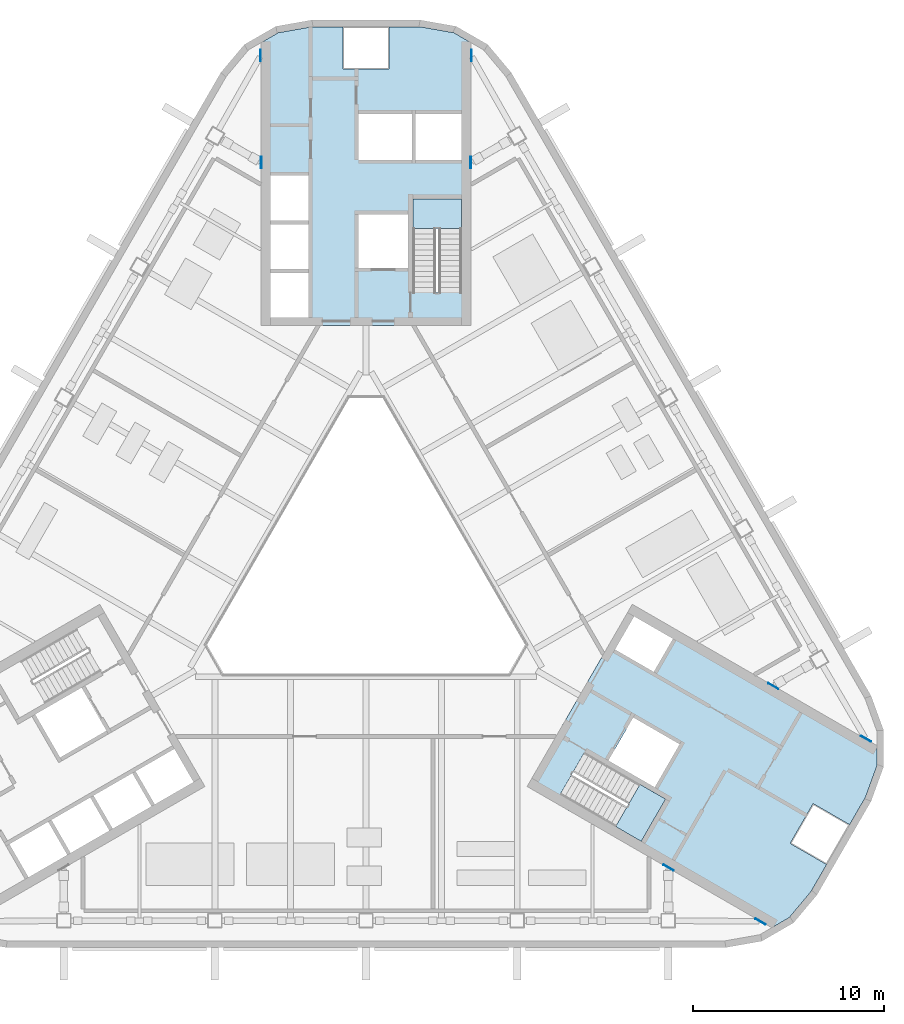
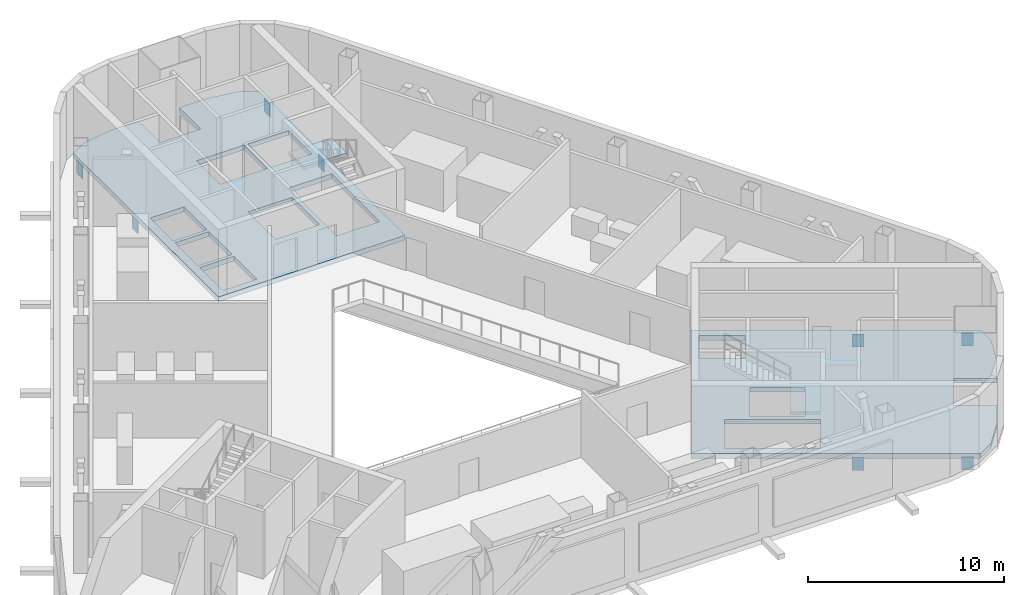
# One storey, part 6 of 15: 8 plates, 4 slabs, 2 elements without a shape of their own.
"""IFC4 building model written with IfcOpenShell, lengths in metres."""

from ifc_helpers import new_model, si_unit, direction, frame, origin, origin_2d, place, context, subcontext, project, spatial, polyline, rectangle, outline, extrude, material, layer, layer_set, type_object, element, aggregate, save


model = new_model("IFC4")

# Units and contexts
model_context = context("Model", 3, precision=1e-05, world=origin(), true_north=direction((0.0, 1.0)))
body_context = subcontext(model_context, "Body", "Model", "MODEL_VIEW")
ifc_project = project(units=[si_unit("LENGTHUNIT", "METRE"), si_unit("AREAUNIT", "SQUARE_METRE"), si_unit("VOLUMEUNIT", "CUBIC_METRE"), si_unit("PLANEANGLEUNIT", "RADIAN"), si_unit("MASSUNIT", "GRAM", prefix="KILO")], contexts=[model_context])

# Site, building, storey
site_placement = place(None, origin())
site = spatial("IfcSite", under=ifc_project, at=site_placement, CompositionType="ELEMENT")
building_placement = place(site_placement, origin())
building = spatial("IfcBuilding", under=site, at=building_placement, Name="Apuvela Tower Hotel", CompositionType="ELEMENT")
storey_placement = place(building_placement, frame((0.0, 0.0, 237.699951171875)))
storey = spatial("IfcBuildingStorey", under=building, at=storey_placement, Name="L58 Plant", CompositionType="ELEMENT", Elevation=237.699951171875)

# Slabs
ifc_material_1 = material(Name="Concrete C50/60", Category="concrete")
ifc_layer_1 = layer(ifc_material_1, 0.300048828125)
ifc_layer_set_1 = layer_set([ifc_layer_1], Name="COR-FLOOR-300")
slab_type_1 = type_object("IfcSlabType", Name="COR-FLOOR-300", PredefinedType="FLOOR", material=ifc_layer_set_1)
slab_1_placement = place(storey_placement, frame((0.0, 0.0, -0.300048828125)))
element("IfcSlab", 1, at=slab_1_placement, inside=storey, type_object=slab_type_1, Name="Core floor N", PredefinedType="FLOOR", context=body_context, shape_type="SweptSolid", body=[
    extrude(outline(polyline([(5.5, 27.668212890625), (4.588623046875, 28.1943359375), (2.85498046875, 28.5), (1.199951171875, 28.5), (1.199951171875, 26.300048828125), (-1.199951171875, 26.300048828125), (-1.199951171875, 28.5), (-2.85498046875, 28.5), (-4.588623046875, 28.1943359375), (-5.5, 27.668212890625), (-5.5, 12.89990234375), (5.5, 12.89990234375), (5.5, 27.668212890625)]), holes=[polyline([(-3.0, 13.300048828125), (-5.0, 13.300048828125), (-5.0, 15.639892578125), (-3.0, 15.639892578125), (-3.0, 13.300048828125)]), polyline([(-3.0, 18.179931640625), (-3.0, 15.840087890625), (-5.0, 15.840087890625), (-5.0, 18.179931640625), (-3.0, 18.179931640625)]), polyline([(5.0, 19.5), (5.0, 14.60595703125), (2.449951171875, 14.60595703125), (2.449951171875, 19.5), (5.0, 19.5)]), polyline([(2.199951171875, 18.699951171875), (2.199951171875, 15.89990234375), (-0.39990234375, 15.89990234375), (-0.39990234375, 18.699951171875), (2.199951171875, 18.699951171875)]), polyline([(-3.0, 20.719970703125), (-3.0, 18.3798828125), (-5.0, 18.3798828125), (-5.0, 20.719970703125), (-3.0, 20.719970703125)]), polyline([(5.0, 23.949951171875), (5.0, 21.550048828125), (2.60009765625, 21.550048828125), (2.60009765625, 23.949951171875), (5.0, 23.949951171875)]), polyline([(2.39990234375, 23.949951171875), (2.39990234375, 21.550048828125), (-0.39990234375, 21.550048828125), (-0.39990234375, 23.949951171875), (2.39990234375, 23.949951171875)])]), origin(), (0.0, 0.0, 1.0), 0.300048828125),
])
slab_2_placement = place(storey_placement, frame((0.0, 0.0, -0.300048828125)))
element("IfcSlab", 2, at=slab_2_placement, inside=storey, type_object=slab_type_1, Name="Core floor SE", PredefinedType="FLOOR", context=body_context, shape_type="SweptSolid", body=[
    extrude(outline(polyline([(21.211181640625, -18.59716796875), (22.122802734375, -18.071044921875), (23.254150390625, -16.72265625), (24.081787109375, -15.289306640625), (22.176513671875, -14.189208984375), (23.37646484375, -12.11083984375), (25.28173828125, -13.210693359375), (26.109375, -11.77734375), (26.711181640625, -10.123291015625), (26.711181640625, -9.07080078125), (13.921630859375, -1.68701171875), (8.421630859375, -11.213134765625), (21.211181640625, -18.59716796875)]), holes=[polyline([(14.01806640625, -2.31982421875), (16.044677734375, -3.489990234375), (15.044677734375, -5.221923828125), (13.01806640625, -4.052001953125), (14.01806640625, -2.31982421875)]), polyline([(10.149169921875, -11.633056640625), (11.42431640625, -9.4248046875), (15.66259765625, -11.871826171875), (14.387451171875, -14.080078125), (10.149169921875, -11.633056640625)]), polyline([(12.669921875, -9.855224609375), (13.9697265625, -7.603515625), (16.394775390625, -9.003662109375), (15.0947265625, -11.25537109375), (12.669921875, -9.855224609375)])]), origin(), (0.0, 0.0, 1.0), 0.300048828125),
])

# Stair, slab
stair_type = type_object("IfcStairType", Name="COR-STAIR-26R", PredefinedType="HALF_TURN_STAIR", material=ifc_material_1)
stair_1_placement = place(storey_placement, origin())
stair_1 = element("IfcStair", 3, at=stair_1_placement, inside=storey, type_object=stair_type, Name="L58 Plant Exit stair ST1", PredefinedType="HALF_TURN_STAIR")
ifc_layer_2 = layer(ifc_material_1, 0.199951171875)
ifc_layer_set_2 = layer_set([ifc_layer_2], Name="COR-LANDING-200")
slab_type_2 = type_object("IfcSlabType", Name="COR-LANDING-200", PredefinedType="LANDING", material=ifc_layer_set_2)
slab_3_placement = place(storey_placement, frame((0.0, 0.0, 2.050048828125)))
slab_3 = element("IfcSlab", 4, at=slab_3_placement, type_object=slab_type_2, Name="ST1 landing 1", PredefinedType="LANDING", context=body_context, shape_type="SweptSolid", body=[
    extrude(outline(polyline([(5.0, 17.9541015625), (5.0, 19.5), (2.449951171875, 19.5), (2.449951171875, 17.9541015625), (5.0, 17.9541015625)])), origin(), (0.0, 0.0, 1.0), 0.199951171875),
])
aggregate(stair_1, [slab_3])

stair_2_placement = place(storey_placement, origin())
stair_2 = element("IfcStair", 5, at=stair_2_placement, inside=storey, type_object=stair_type, Name="L58 Plant Exit stair ST3", PredefinedType="HALF_TURN_STAIR")
slab_4_placement = place(storey_placement, frame((0.0, 0.0, 2.050048828125)))
slab_4 = element("IfcSlab", 6, at=slab_4_placement, type_object=slab_type_2, Name="ST3 landing 1", PredefinedType="LANDING", context=body_context, shape_type="SweptSolid", body=[
    extrude(outline(polyline([(13.048583984375, -13.30712890625), (14.387451171875, -14.080078125), (15.66259765625, -11.871826171875), (14.32373046875, -11.098876953125), (13.048583984375, -13.30712890625)])), origin(), (0.0, 0.0, 1.0), 0.199951171875),
])
aggregate(stair_2, [slab_4])

# Plates
ifc_material_2 = material(Name="Steel S355", Category="steel")
ifc_layer_3 = layer(ifc_material_2, 0.0400390625)
ifc_layer_set_3 = layer_set([ifc_layer_3], Name="STR-CP 40 Steel S355")
plate_type = type_object("IfcPlateType", Name="STR-CP 40 Steel S355", PredefinedType="SHEET", material=ifc_layer_set_3)
for number, where, z_axis, x_axis, name in (
    (7, (20.622802734375, -18.280517578125, -1.0), (0.0, 0.0, 1.0), (-0.5, -0.866025403784, 0.0), "Cast-in plate CP-T2-50 40"),
    (8, (26.142578125, -8.719482421875, -1.0), (0.0, 0.0, 1.0), (0.5, 0.866025403784, 0.0), "Cast-in plate CP-T2-51 40"),
    (9, (5.52001953125, 27.0, -1.0), (0.0, 0.0, 1.0), (1.0, 0.0, 0.0), "Cast-in plate CP-T2-52 40"),
    (10, (-5.52001953125, 27.0, -1.0), (0.0, 0.0, 1.0), (-1.0, 0.0, 0.0), "Cast-in plate CP-T2-53 40"),
    (11, (21.2900390625, -5.964111328125, -1.0498046875), (0.0, 0.0, 1.0), (-0.5, -0.866025403784, 0.0), "Cast-in plate CP-T2-55 40"),
    (12, (5.47998046875, 21.419677734375, -1.0498046875), (0.0, 0.0, 1.0), (-1.0, 0.0, 0.0), "Cast-in plate CP-T2-56 40"),
    (13, (-5.47998046875, 21.419677734375, -1.0498046875), (0.0, 0.0, 1.0), (1.0, 0.0, 0.0), "Cast-in plate CP-T2-57 40"),
    (14, (15.81005859375, -15.455810546875, -1.0498046875), (0.0, 0.0, 1.0), (0.5, 0.866025403784, 0.0), "Cast-in plate CP-T2-60 40"),
):
    element("IfcPlate", number, at=place(storey_placement, frame(where, z_axis=z_axis, x_axis=x_axis)), inside=storey, type_object=plate_type, Name=name, PredefinedType="SHEET", context=body_context, shape_type="SweptSolid", body=[
        extrude(rectangle(XDim=0.0400390625, YDim=0.60009765625, at=origin_2d()), origin(), (0.0, 0.0, 1.0), 0.800048828125),
    ])

save(model, "model.ifc")
